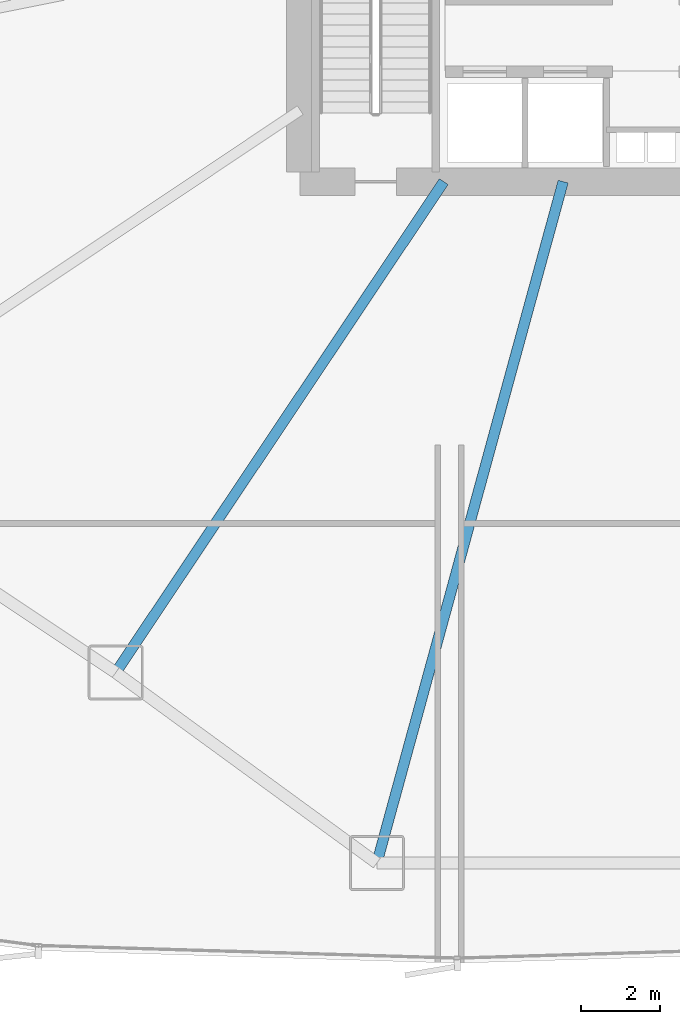
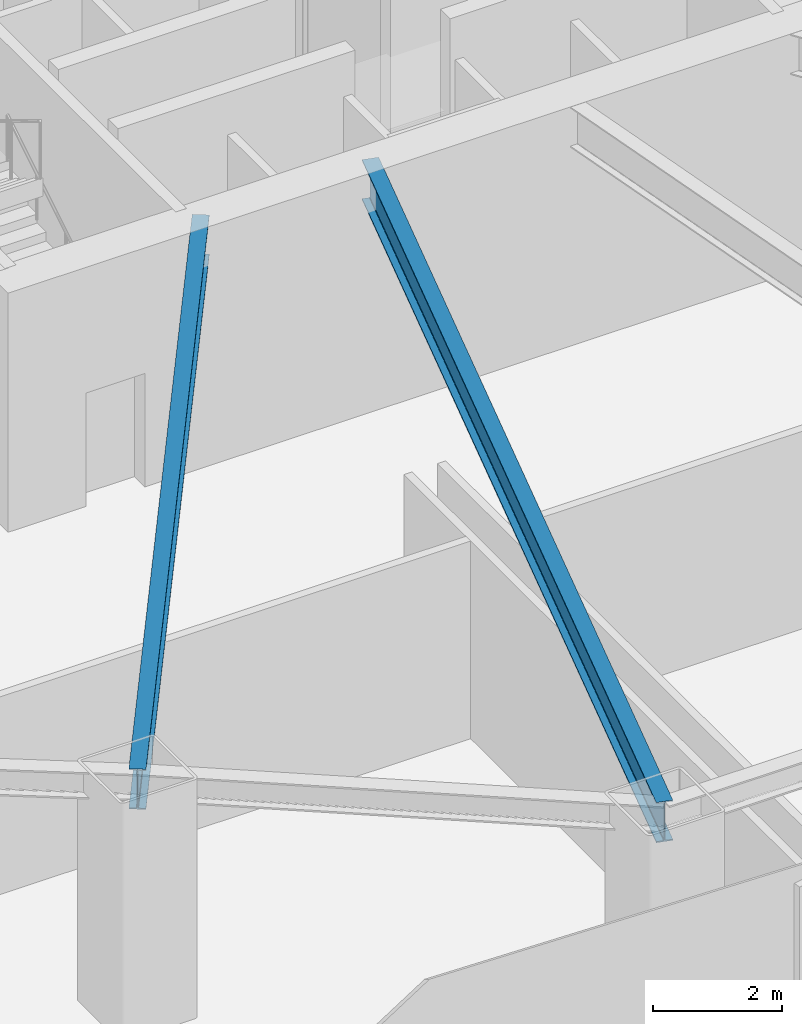
# One storey, part 7 of 33: 2 beams.
"""IFC4 building model written with IfcOpenShell, lengths in metres."""

from ifc_helpers import new_model, si_unit, direction, frame, origin, origin_2d, place, context, subcontext, project, spatial, i_section, extrude, source, transform, mapped, material, material_profile, profile_set, type_object, element, save


model = new_model("IFC4")

# Units and contexts
model_context = context("Model", 3, precision=1e-05, world=origin(), true_north=direction((0.0, 1.0)))
body_context = subcontext(model_context, "Body", "Model", "MODEL_VIEW")
ifc_project = project(units=[si_unit("LENGTHUNIT", "METRE"), si_unit("AREAUNIT", "SQUARE_METRE"), si_unit("VOLUMEUNIT", "CUBIC_METRE"), si_unit("PLANEANGLEUNIT", "RADIAN"), si_unit("MASSUNIT", "GRAM", prefix="KILO"), si_unit("THERMODYNAMICTEMPERATUREUNIT", "KELVIN")], contexts=[model_context])

# Site, building, storey
site_placement = place(None, origin())
site = spatial("IfcSite", under=ifc_project, at=site_placement, CompositionType="ELEMENT")
building_placement = place(site_placement, origin())
building = spatial("IfcBuilding", under=site, at=building_placement, Name="Kethvar Cultural Tower", CompositionType="ELEMENT")
storey_placement = place(building_placement, frame((0.0, 0.0, 10.0)))
storey = spatial("IfcBuildingStorey", under=building, at=storey_placement, Name="L02", CompositionType="ELEMENT", Elevation=10.0)

# Beams
ifc_material = material(Name="Steel S355J2", Category="steel")
ifc_material_profile = material_profile(ifc_material, i_section(OverallWidth=0.26708984375, OverallDepth=0.761962890625, WebThickness=0.014404296875, FlangeThickness=0.021484375, FilletRadius=0.01708984375, at=origin_2d()), Name="Steel S355J2 — IPE750x173")
ifc_profile_set = profile_set([ifc_material_profile], Name="Steel S355J2 — IPE750x173")
beam_type = type_object("IfcBeamType", Name="BM-IPE750", PredefinedType="BEAM", material=ifc_profile_set)
shared_shape_1 = source(origin(), body_context, "Body", "SweptSolid", [
    extrude(i_section(OverallWidth=0.26708984375, OverallDepth=0.761962890625, WebThickness=0.014404296875, FlangeThickness=0.021484375, FilletRadius=0.01708984375, at=origin_2d()), origin(), (0.0, 0.0, 1.0), 17.987060546875),
])
beam_1_placement = place(storey_placement, frame((44.6943359375, 20.10009765625, 4.14697265625), z_axis=(-0.26376624534, -0.964586630541, 0.0), x_axis=(0.964586630541, -0.26376624534, 0.0)))
element("IfcBeam", 1, at=beam_1_placement, inside=storey, type_object=beam_type, Name="L02 Podium Radial Girder 12", PredefinedType="BEAM", context=body_context, shape_type="MappedRepresentation", body=[
    mapped(shared_shape_1, transform((0.0, 0.0, 0.0), scale=1.0)),
])
shared_shape_2 = source(origin(), body_context, "Body", "SweptSolid", [
    extrude(i_section(OverallWidth=0.26708984375, OverallDepth=0.761962890625, WebThickness=0.014404296875, FlangeThickness=0.021484375, FilletRadius=0.01708984375, at=origin_2d()), origin(), (0.0, 0.0, 1.0), 15.03515625),
])
beam_2_placement = place(storey_placement, frame((41.655029296875, 20.10009765625, 4.14697265625), z_axis=(-0.555569254616, -0.83147026605, 0.0), x_axis=(0.83147026605, -0.555569254616, 0.0)))
element("IfcBeam", 2, at=beam_2_placement, inside=storey, type_object=beam_type, Name="L02 Podium Radial Girder 11", PredefinedType="BEAM", context=body_context, shape_type="MappedRepresentation", body=[
    mapped(shared_shape_2, transform((0.0, 0.0, 0.0), scale=1.0)),
])

save(model, "model.ifc")
